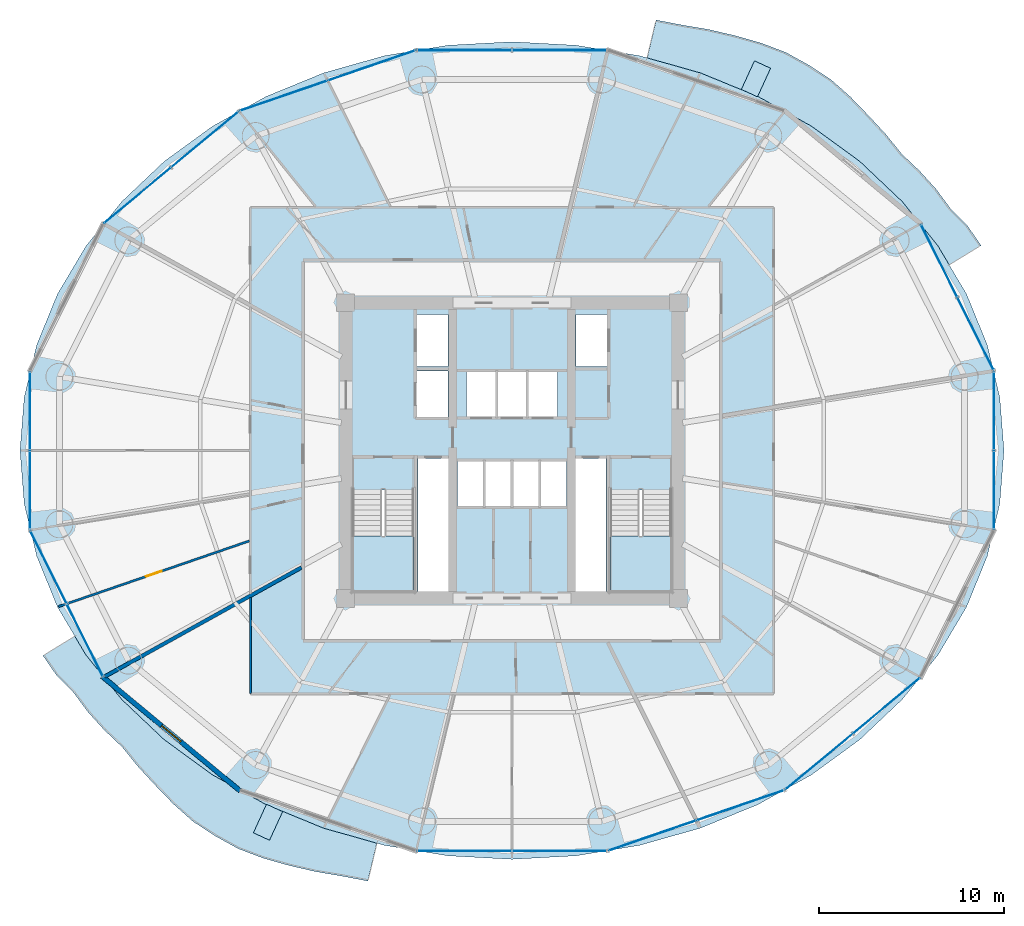
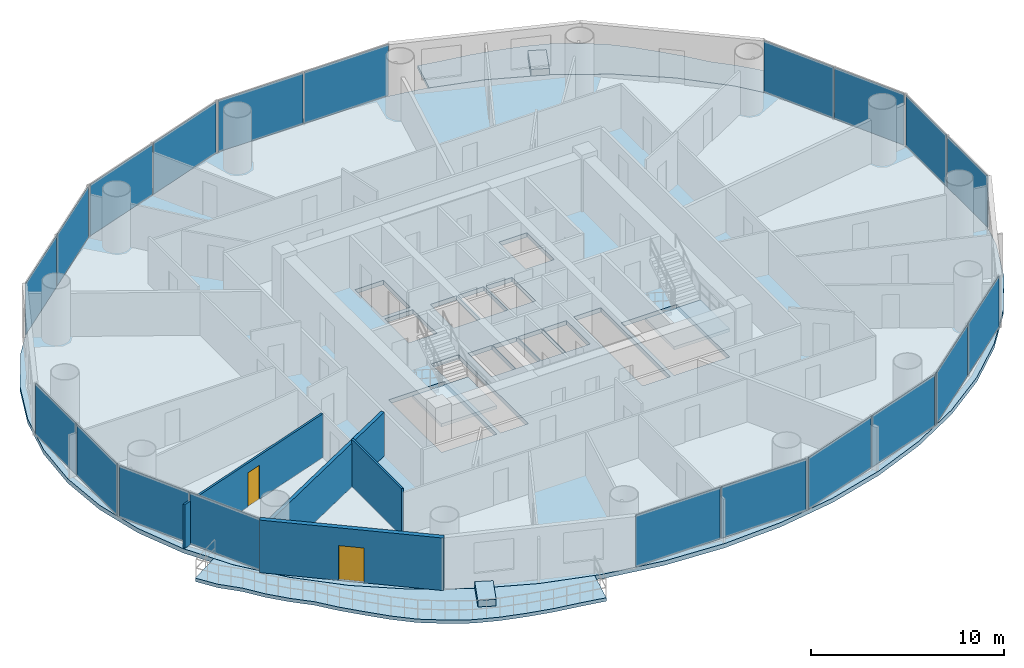
# One storey, part 20 of 28: 20 plates, 7 slabs, 4 walls, 2 doors, 2 openings, 12 elements without a shape of their own.
"""IFC4 building model written with IfcOpenShell, lengths in metres."""

from ifc_helpers import new_model, si_unit, direction, frame, frame_2d, origin, origin_2d, place, context, subcontext, project, spatial, polyline, rectangle, outline, extrude, source, transform, mapped, material, layer, layer_set, type_object, element, fill, aggregate, save


model = new_model("IFC4")

# Units and contexts
model_context = context("Model", 3, precision=1e-05, world=origin(), true_north=direction((-0.2419218956, 0.970295726276)))
body_context = subcontext(model_context, "Body", "Model", "MODEL_VIEW")
ifc_project = project(units=[si_unit("LENGTHUNIT", "METRE"), si_unit("AREAUNIT", "SQUARE_METRE"), si_unit("VOLUMEUNIT", "CUBIC_METRE"), si_unit("PLANEANGLEUNIT", "RADIAN"), si_unit("MASSUNIT", "GRAM", prefix="KILO")], contexts=[model_context])

# Site, building, storey
site_placement = place(None, origin())
site = spatial("IfcSite", under=ifc_project, at=site_placement, CompositionType="ELEMENT")
building_placement = place(site_placement, origin())
building = spatial("IfcBuilding", under=site, at=building_placement, Name="Cobrevalo Terracotta Tower", CompositionType="ELEMENT")
storey_placement = place(building_placement, frame((0.0, 0.0, 108.60009765625)))
storey = spatial("IfcBuildingStorey", under=building, at=storey_placement, Name="L28", CompositionType="ELEMENT", Elevation=108.60009765625)

# Stair, slab
ifc_material_1 = material(Name="Concrete C50", Category="concrete")
stair_type = type_object("IfcStairType", Name="Core protected escape dogleg stair 1600", PredefinedType="HALF_TURN_STAIR", material=ifc_material_1)
stair_1_placement = place(storey_placement, origin())
stair_1 = element("IfcStair", 1, at=stair_1_placement, inside=storey, type_object=stair_type, Name="L28 Protected exit stair ST-1", PredefinedType="HALF_TURN_STAIR")
ifc_layer_1 = layer(ifc_material_1, 0.199951171875)
ifc_layer_set_1 = layer_set([ifc_layer_1], Name="Concrete C50")
slab_type_1 = type_object("IfcSlabType", Name="Reinforced Concrete Stair Landing 200", PredefinedType="LANDING", material=ifc_layer_set_1)
slab_1_placement = place(storey_placement, frame((0.0, 0.0, 1.599853515625)))
slab_1 = element("IfcSlab", 2, at=slab_1_placement, type_object=slab_type_1, Name="ST-1 landing 1", PredefinedType="LANDING", context=body_context, shape_type="SweptSolid", body=[
    extrude(outline(polyline([(29.375, 22.179931640625), (29.375, 19.175048828125), (32.695068359375, 19.175048828125), (32.695068359375, 22.179931640625), (29.375, 22.179931640625)])), origin(), (0.0, 0.0, 1.0), 0.199951171875),
])
aggregate(stair_1, [slab_1])

stair_2_placement = place(storey_placement, origin())
stair_2 = element("IfcStair", 3, at=stair_2_placement, inside=storey, type_object=stair_type, Name="L28 Protected exit stair ST-2", PredefinedType="HALF_TURN_STAIR")
slab_2_placement = place(storey_placement, frame((0.0, 0.0, 1.599853515625)))
slab_2 = element("IfcSlab", 4, at=slab_2_placement, type_object=slab_type_1, Name="ST-2 landing 1", PredefinedType="LANDING", context=body_context, shape_type="SweptSolid", body=[
    extrude(outline(polyline([(43.304931640625, 22.179931640625), (43.304931640625, 19.175048828125), (46.625, 19.175048828125), (46.625, 22.179931640625), (43.304931640625, 22.179931640625)])), origin(), (0.0, 0.0, 1.0), 0.199951171875),
])
aggregate(stair_2, [slab_2])

# Slabs
ifc_material_2 = material(Name="Concrete C45", Category="concrete")
ifc_layer_2 = layer(ifc_material_2, 0.219970703125)
ifc_layer_set_2 = layer_set([ifc_layer_2], Name="Concrete C45")
slab_type_2 = type_object("IfcSlabType", Name="Spiralling cantilevered balcony lobe slab 220 mm", PredefinedType="FLOOR", material=ifc_layer_set_2)
slab_3_placement = place(storey_placement, frame((0.0, 0.0, -0.22021484375)))
element("IfcSlab", 5, at=slab_3_placement, inside=storey, type_object=slab_type_2, Name="L28 spiralling arc balcony slab lobe 1", PredefinedType="FLOOR", context=body_context, shape_type="SweptSolid", body=[
    extrude(outline(polyline([(63.3623046875, 37.882568359375), (62.629150390625, 38.94482421875), (61.700927734375, 39.887451171875), (60.923828125, 40.939697265625), (60.038330078125, 41.913818359375), (59.071044921875, 42.832275390625), (58.2197265625, 43.886474609375), (57.2783203125, 44.90380859375), (56.30078125, 45.917236328125), (55.240478515625, 46.857421875), (54.045166015625, 47.640625), (52.795166015625, 48.33056640625), (51.443115234375, 48.841064453125), (50.046875, 49.235107421875), (48.640380859375, 49.562744140625), (47.2060546875, 49.80615234375), (45.793212890625, 50.0771484375), (45.306884765625, 48.030029296875), (48.18017578125, 47.219482421875), (51.301025390625, 45.94091796875), (54.1943359375, 44.334716796875), (56.810546875, 42.428466796875), (59.104736328125, 40.2548828125), (61.0380859375, 37.85107421875), (61.645263671875, 36.827880859375), (63.3623046875, 37.882568359375)])), origin(), (0.0, 0.0, 1.0), 0.22021484375),
])
slab_4_placement = place(storey_placement, frame((0.0, 0.0, -0.22021484375)))
element("IfcSlab", 6, at=slab_4_placement, inside=storey, type_object=slab_type_2, Name="L28 spiralling arc balcony slab lobe 2", PredefinedType="FLOOR", context=body_context, shape_type="SweptSolid", body=[
    extrude(outline(polyline([(12.6376953125, 15.717529296875), (13.370849609375, 14.655029296875), (14.299072265625, 13.712646484375), (15.076171875, 12.660400390625), (15.961669921875, 11.686279296875), (16.928955078125, 10.767578125), (17.7802734375, 9.713623046875), (18.7216796875, 8.6962890625), (19.69921875, 7.6826171875), (20.759521484375, 6.742431640625), (21.954833984375, 5.95947265625), (23.204833984375, 5.26953125), (24.556884765625, 4.759033203125), (25.953125, 4.364990234375), (27.359619140625, 4.037353515625), (28.7939453125, 3.793701171875), (30.206787109375, 3.522705078125), (30.693115234375, 5.570068359375), (27.81982421875, 6.38037109375), (24.698974609375, 7.6591796875), (21.8056640625, 9.265380859375), (19.189453125, 11.171630859375), (16.895263671875, 13.34521484375), (14.9619140625, 15.7490234375), (14.354736328125, 16.772216796875), (12.6376953125, 15.717529296875)])), origin(), (0.0, 0.0, 1.0), 0.22021484375),
])
ifc_material_3 = material(Name="Precast concrete C45", Category="concrete")
ifc_layer_3 = layer(ifc_material_3, 0.419921875)
ifc_layer_set_3 = layer_set([ifc_layer_3], Name="Precast concrete C45")
slab_type_3 = type_object("IfcSlabType", Name="Structural tree planter trough base 420 mm", PredefinedType="USERDEFINED", material=ifc_layer_set_3)
slab_5_placement = place(storey_placement, origin())
element("IfcSlab", 7, at=slab_5_placement, inside=storey, type_object=slab_type_3, Name="L28 structural tree planter trough 1", ObjectType="PLANTER", PredefinedType="USERDEFINED", context=body_context, shape_type="SweptSolid", body=[
    extrude(outline(polyline([(51.27294921875, 45.92333984375), (51.9814453125, 47.46875), (51.108642578125, 47.86865234375), (50.400390625, 46.3232421875), (51.27294921875, 45.92333984375)])), origin(), (0.0, 0.0, 1.0), 0.419921875),
])
slab_6_placement = place(storey_placement, origin())
element("IfcSlab", 8, at=slab_6_placement, inside=storey, type_object=slab_type_3, Name="L28 structural tree planter trough 2", ObjectType="PLANTER", PredefinedType="USERDEFINED", context=body_context, shape_type="SweptSolid", body=[
    extrude(outline(polyline([(24.72705078125, 7.6767578125), (24.0185546875, 6.13134765625), (24.891357421875, 5.731201171875), (25.599609375, 7.276611328125), (24.72705078125, 7.6767578125)])), origin(), (0.0, 0.0, 1.0), 0.419921875),
])
ifc_layer_4 = layer(ifc_material_1, 0.27490234375)
ifc_layer_set_4 = layer_set([ifc_layer_4], Name="Concrete C50")
slab_type_4 = type_object("IfcSlabType", Name="Zone Z2 elliptical floor plate 275 mm", PredefinedType="FLOOR", material=ifc_layer_set_4)
slab_7_placement = place(storey_placement, frame((0.0, 0.0, -0.275146484375)))
element("IfcSlab", 9, at=slab_7_placement, inside=storey, type_object=slab_type_4, Name="L28 indoor elliptical floor slab", PredefinedType="FLOOR", context=body_context, shape_type="SweptSolid", body=[
    extrude(outline(polyline([(64.372314453125, 23.915283203125), (63.693603515625, 21.080078125), (62.5751953125, 18.3427734375), (61.036376953125, 15.75), (59.103271484375, 13.346435546875), (56.80908203125, 11.1728515625), (54.193115234375, 9.266845703125), (51.300048828125, 7.660888671875), (48.179443359375, 6.38232421875), (44.884521484375, 5.453125), (41.471923828125, 4.88916015625), (38.0, 4.699951171875), (34.528076171875, 4.88916015625), (31.115478515625, 5.453125), (27.820556640625, 6.38232421875), (24.699951171875, 7.660888671875), (21.806884765625, 9.266845703125), (19.19091796875, 11.1728515625), (16.896728515625, 13.346435546875), (14.963623046875, 15.75), (13.4248046875, 18.3427734375), (12.306396484375, 21.080078125), (11.627685546875, 23.915283203125), (11.39990234375, 26.800048828125), (11.627685546875, 29.6845703125), (12.306396484375, 32.52001953125), (13.4248046875, 35.25732421875), (14.963623046875, 37.85009765625), (16.896728515625, 40.253662109375), (19.19091796875, 42.427001953125), (21.806884765625, 44.3330078125), (24.699951171875, 45.939208984375), (27.820556640625, 47.2177734375), (31.115478515625, 48.14697265625), (34.528076171875, 48.7109375), (38.0, 48.89990234375), (41.471923828125, 48.7109375), (44.884521484375, 48.14697265625), (48.179443359375, 47.2177734375), (51.300048828125, 45.939208984375), (54.193115234375, 44.3330078125), (56.80908203125, 42.427001953125), (59.103271484375, 40.253662109375), (61.036376953125, 37.85009765625), (62.5751953125, 35.25732421875), (63.693603515625, 32.52001953125), (64.372314453125, 29.6845703125), (64.60009765625, 26.800048828125), (64.372314453125, 23.915283203125)]), holes=[polyline([(32.695068359375, 19.175048828125), (32.695068359375, 24.659912109375), (29.375, 24.659912109375), (29.375, 19.175048828125), (32.695068359375, 19.175048828125)]), polyline([(34.574951171875, 19.175048828125), (34.574951171875, 26.360107421875), (32.919921875, 26.360107421875), (32.919921875, 19.175048828125), (34.574951171875, 19.175048828125)]), polyline([(36.47998046875, 23.800048828125), (36.47998046875, 26.25), (35.050048828125, 26.25), (35.050048828125, 23.800048828125), (36.47998046875, 23.800048828125)]), polyline([(37.9599609375, 23.800048828125), (37.9599609375, 26.25), (36.530029296875, 26.25), (36.530029296875, 23.800048828125), (37.9599609375, 23.800048828125)]), polyline([(37.1201171875, 28.60009765625), (37.1201171875, 31.050048828125), (35.550048828125, 31.050048828125), (35.550048828125, 28.60009765625), (37.1201171875, 28.60009765625)]), polyline([(34.550048828125, 28.60009765625), (34.550048828125, 31.10009765625), (32.85009765625, 31.10009765625), (32.85009765625, 28.60009765625), (34.550048828125, 28.60009765625)]), polyline([(34.550048828125, 31.35009765625), (34.550048828125, 34.14990234375), (32.85009765625, 34.14990234375), (32.85009765625, 31.35009765625), (34.550048828125, 31.35009765625)]), polyline([(46.625, 19.175048828125), (46.625, 24.659912109375), (43.304931640625, 24.659912109375), (43.304931640625, 19.175048828125), (46.625, 19.175048828125)]), polyline([(43.080078125, 19.175048828125), (43.080078125, 26.360107421875), (41.425048828125, 26.360107421875), (41.425048828125, 19.175048828125), (43.080078125, 19.175048828125)]), polyline([(39.469970703125, 23.800048828125), (39.469970703125, 26.25), (38.0400390625, 26.25), (38.0400390625, 23.800048828125), (39.469970703125, 23.800048828125)]), polyline([(40.949951171875, 23.800048828125), (40.949951171875, 26.25), (39.52001953125, 26.25), (39.52001953125, 23.800048828125), (40.949951171875, 23.800048828125)]), polyline([(38.780029296875, 28.60009765625), (38.780029296875, 31.050048828125), (37.219970703125, 31.050048828125), (37.219970703125, 28.60009765625), (38.780029296875, 28.60009765625)]), polyline([(40.449951171875, 28.60009765625), (40.449951171875, 31.050048828125), (38.8798828125, 31.050048828125), (38.8798828125, 28.60009765625), (40.449951171875, 28.60009765625)]), polyline([(43.14990234375, 31.35009765625), (43.14990234375, 34.14990234375), (41.449951171875, 34.14990234375), (41.449951171875, 31.35009765625), (43.14990234375, 31.35009765625)])]), origin(), (0.0, 0.0, 1.0), 0.275146484375),
])

# Curtain wall, plates
ifc_material_4 = material(Name="Anodized aluminium", Category="aluminium")
curtain_wall_type = type_object("IfcCurtainWallType", Name="Lower-tower unitised acoustic low-E curtain wall CW-U1", PredefinedType="NOTDEFINED", material=ifc_material_4)
curtain_wall_1_placement = place(storey_placement, origin())
curtain_wall_1 = element("IfcCurtainWall", 10, at=curtain_wall_1_placement, inside=storey, type_object=curtain_wall_type, Name="L28 curtain wall CW-L28-S05", PredefinedType="NOTDEFINED")
ifc_material_5 = material(Name="Solar-control low-E double glazing", Category="glass")
ifc_layer_5 = layer(ifc_material_5, 0.028076171875)
ifc_layer_set_5 = layer_set([ifc_layer_5], Name="Solar-control low-E double glazing")
plate_type = type_object("IfcPlateType", Name="Tower solar-control low-E vision glass panel 28 mm", PredefinedType="CURTAIN_PANEL", material=ifc_layer_set_5)
shared_shape_1 = source(origin(), body_context, "Body", "SweptSolid", [
    extrude(rectangle(XDim=4.944580078125, YDim=0.035888671875, at=origin_2d()), origin(), (0.0, 0.0, 1.0), 3.2451171875),
])
plate_1_placement = place(storey_placement, frame((30.403076171875, 47.615478515625, 0.039794921875), z_axis=(0.0, 0.0, 1.0), x_axis=(-0.945596395206, -0.325342062104, 0.0)))
plate_1 = element("IfcPlate", 11, at=plate_1_placement, type_object=plate_type, Name="CW-L28-S05 glazing panel B01", PredefinedType="CURTAIN_PANEL", context=body_context, shape_type="MappedRepresentation", body=[
    mapped(shared_shape_1, transform((0.0, 0.0, 0.0), scale=1.0)),
])
plate_2_placement = place(storey_placement, frame((25.65185546875, 45.98095703125, 0.039794921875), z_axis=(0.0, 0.0, 1.0), x_axis=(-0.945596395206, -0.325342062104, 0.0)))
plate_2 = element("IfcPlate", 12, at=plate_2_placement, type_object=plate_type, Name="CW-L28-S05 glazing panel B02", PredefinedType="CURTAIN_PANEL", context=body_context, shape_type="MappedRepresentation", body=[
    mapped(shared_shape_1, transform((0.0, 0.0, 0.0), scale=1.0)),
])
aggregate(curtain_wall_1, [plate_1, plate_2])

curtain_wall_2_placement = place(storey_placement, origin())
curtain_wall_2 = element("IfcCurtainWall", 13, at=curtain_wall_2_placement, inside=storey, type_object=curtain_wall_type, Name="L28 curtain wall CW-L28-S13", PredefinedType="NOTDEFINED")
plate_3_placement = place(storey_placement, frame((45.596923828125, 5.984375, 0.039794921875), z_axis=(0.0, 0.0, 1.0), x_axis=(0.945596395206, 0.325342062104, 0.0)))
plate_3 = element("IfcPlate", 14, at=plate_3_placement, type_object=plate_type, Name="CW-L28-S13 glazing panel B01", PredefinedType="CURTAIN_PANEL", context=body_context, shape_type="MappedRepresentation", body=[
    mapped(shared_shape_1, transform((0.0, 0.0, 0.0), scale=1.0)),
])
plate_4_placement = place(storey_placement, frame((50.34814453125, 7.619140625, 0.039794921875), z_axis=(0.0, 0.0, 1.0), x_axis=(0.945596395206, 0.325342062104, 0.0)))
plate_4 = element("IfcPlate", 15, at=plate_4_placement, type_object=plate_type, Name="CW-L28-S13 glazing panel B02", PredefinedType="CURTAIN_PANEL", context=body_context, shape_type="MappedRepresentation", body=[
    mapped(shared_shape_1, transform((0.0, 0.0, 0.0), scale=1.0)),
])
aggregate(curtain_wall_2, [plate_3, plate_4])

curtain_wall_3_placement = place(storey_placement, origin())
curtain_wall_3 = element("IfcCurtainWall", 16, at=curtain_wall_3_placement, inside=storey, type_object=curtain_wall_type, Name="L28 curtain wall CW-L28-S04", PredefinedType="NOTDEFINED")
shared_shape_2 = source(origin(), body_context, "Body", "SweptSolid", [
    extrude(rectangle(XDim=5.0634765625, YDim=0.035888671875, at=origin_2d()), origin(), (0.0, 0.0, 1.0), 3.2451171875),
])
plate_5_placement = place(storey_placement, frame((40.57177734375, 48.446044921875, 0.039794921875), z_axis=(0.0, 0.0, 1.0), x_axis=(-1.0, 0.0, 0.0)))
plate_5 = element("IfcPlate", 17, at=plate_5_placement, type_object=plate_type, Name="CW-L28-S04 glazing panel B01", PredefinedType="CURTAIN_PANEL", context=body_context, shape_type="MappedRepresentation", body=[
    mapped(shared_shape_2, transform((0.0, 0.0, 0.0), scale=1.0)),
])
plate_6_placement = place(storey_placement, frame((35.42822265625, 48.446044921875, 0.039794921875), z_axis=(0.0, 0.0, 1.0), x_axis=(-1.0, 0.0, 0.0)))
plate_6 = element("IfcPlate", 18, at=plate_6_placement, type_object=plate_type, Name="CW-L28-S04 glazing panel B02", PredefinedType="CURTAIN_PANEL", context=body_context, shape_type="MappedRepresentation", body=[
    mapped(shared_shape_2, transform((0.0, 0.0, 0.0), scale=1.0)),
])
aggregate(curtain_wall_3, [plate_5, plate_6])

curtain_wall_4_placement = place(storey_placement, origin())
curtain_wall_4 = element("IfcCurtainWall", 19, at=curtain_wall_4_placement, inside=storey, type_object=curtain_wall_type, Name="L28 curtain wall CW-L28-S12", PredefinedType="NOTDEFINED")
plate_7_placement = place(storey_placement, frame((35.42822265625, 5.154052734375, 0.039794921875), z_axis=(0.0, 0.0, 1.0), x_axis=(1.0, 0.0, 0.0)))
plate_7 = element("IfcPlate", 20, at=plate_7_placement, type_object=plate_type, Name="CW-L28-S12 glazing panel B01", PredefinedType="CURTAIN_PANEL", context=body_context, shape_type="MappedRepresentation", body=[
    mapped(shared_shape_2, transform((0.0, 0.0, 0.0), scale=1.0)),
])
plate_8_placement = place(storey_placement, frame((40.57177734375, 5.154052734375, 0.039794921875), z_axis=(0.0, 0.0, 1.0), x_axis=(1.0, 0.0, 0.0)))
plate_8 = element("IfcPlate", 21, at=plate_8_placement, type_object=plate_type, Name="CW-L28-S12 glazing panel B02", PredefinedType="CURTAIN_PANEL", context=body_context, shape_type="MappedRepresentation", body=[
    mapped(shared_shape_2, transform((0.0, 0.0, 0.0), scale=1.0)),
])
aggregate(curtain_wall_4, [plate_7, plate_8])

curtain_wall_5_placement = place(storey_placement, origin())
curtain_wall_5 = element("IfcCurtainWall", 22, at=curtain_wall_5_placement, inside=storey, type_object=curtain_wall_type, Name="L28 curtain wall CW-L28-S06", PredefinedType="NOTDEFINED")
shared_shape_3 = source(origin(), body_context, "Body", "SweptSolid", [
    extrude(rectangle(XDim=4.64501953125, YDim=0.035888671875, at=origin_2d()), origin(), (0.0, 0.0, 1.0), 3.2451171875),
])
plate_9_placement = place(storey_placement, frame((21.390380859375, 43.615478515625, 0.039794921875), z_axis=(0.0, 0.0, 1.0), x_axis=(-0.769241221277, -0.638958483384, 0.0)))
plate_9 = element("IfcPlate", 23, at=plate_9_placement, type_object=plate_type, Name="CW-L28-S06 glazing panel B01", PredefinedType="CURTAIN_PANEL", context=body_context, shape_type="MappedRepresentation", body=[
    mapped(shared_shape_3, transform((0.0, 0.0, 0.0), scale=1.0)),
])
plate_10_placement = place(storey_placement, frame((17.755859375, 40.596435546875, 0.039794921875), z_axis=(0.0, 0.0, 1.0), x_axis=(-0.769241221277, -0.638958483384, 0.0)))
plate_10 = element("IfcPlate", 24, at=plate_10_placement, type_object=plate_type, Name="CW-L28-S06 glazing panel B02", PredefinedType="CURTAIN_PANEL", context=body_context, shape_type="MappedRepresentation", body=[
    mapped(shared_shape_3, transform((0.0, 0.0, 0.0), scale=1.0)),
])
aggregate(curtain_wall_5, [plate_9, plate_10])

curtain_wall_6_placement = place(storey_placement, origin())
curtain_wall_6 = element("IfcCurtainWall", 25, at=curtain_wall_6_placement, inside=storey, type_object=curtain_wall_type, Name="L28 curtain wall CW-L28-S14", PredefinedType="NOTDEFINED")
plate_11_placement = place(storey_placement, frame((54.609619140625, 9.984619140625, 0.039794921875), z_axis=(0.0, 0.0, 1.0), x_axis=(0.769241221277, 0.638958483384, 0.0)))
plate_11 = element("IfcPlate", 26, at=plate_11_placement, type_object=plate_type, Name="CW-L28-S14 glazing panel B01", PredefinedType="CURTAIN_PANEL", context=body_context, shape_type="MappedRepresentation", body=[
    mapped(shared_shape_3, transform((0.0, 0.0, 0.0), scale=1.0)),
])
plate_12_placement = place(storey_placement, frame((58.244140625, 13.00341796875, 0.039794921875), z_axis=(0.0, 0.0, 1.0), x_axis=(0.769241221277, 0.638958483384, 0.0)))
plate_12 = element("IfcPlate", 27, at=plate_12_placement, type_object=plate_type, Name="CW-L28-S14 glazing panel B02", PredefinedType="CURTAIN_PANEL", context=body_context, shape_type="MappedRepresentation", body=[
    mapped(shared_shape_3, transform((0.0, 0.0, 0.0), scale=1.0)),
])
aggregate(curtain_wall_6, [plate_11, plate_12])

curtain_wall_7_placement = place(storey_placement, origin())
curtain_wall_7 = element("IfcCurtainWall", 28, at=curtain_wall_7_placement, inside=storey, type_object=curtain_wall_type, Name="L28 curtain wall CW-L28-S01", PredefinedType="NOTDEFINED")
shared_shape_4 = source(origin(), body_context, "Body", "SweptSolid", [
    extrude(rectangle(XDim=4.3251953125, YDim=0.035888671875, at=origin_2d()), origin(), (0.0, 0.0, 1.0), 3.2451171875),
])
plate_13_placement = place(storey_placement, frame((63.05859375, 33.112548828125, 0.039794921875), z_axis=(0.0, 0.0, 1.0), x_axis=(-0.446261852127, 0.894902430065, 0.0)))
plate_13 = element("IfcPlate", 29, at=plate_13_placement, type_object=plate_type, Name="CW-L28-S01 glazing panel B01", PredefinedType="CURTAIN_PANEL", context=body_context, shape_type="MappedRepresentation", body=[
    mapped(shared_shape_4, transform((0.0, 0.0, 0.0), scale=1.0)),
])
plate_14_placement = place(storey_placement, frame((61.093017578125, 37.0546875, 0.039794921875), z_axis=(0.0, 0.0, 1.0), x_axis=(-0.446261852127, 0.894902430065, 0.0)))
plate_14 = element("IfcPlate", 30, at=plate_14_placement, type_object=plate_type, Name="CW-L28-S01 glazing panel B02", PredefinedType="CURTAIN_PANEL", context=body_context, shape_type="MappedRepresentation", body=[
    mapped(shared_shape_4, transform((0.0, 0.0, 0.0), scale=1.0)),
])
aggregate(curtain_wall_7, [plate_13, plate_14])

curtain_wall_8_placement = place(storey_placement, origin())
curtain_wall_8 = element("IfcCurtainWall", 31, at=curtain_wall_8_placement, inside=storey, type_object=curtain_wall_type, Name="L28 curtain wall CW-L28-S09", PredefinedType="NOTDEFINED")
plate_15_placement = place(storey_placement, frame((12.94140625, 20.487548828125, 0.039794921875), z_axis=(0.0, 0.0, 1.0), x_axis=(0.446261852127, -0.894902430065, 0.0)))
plate_15 = element("IfcPlate", 32, at=plate_15_placement, type_object=plate_type, Name="CW-L28-S09 glazing panel B01", PredefinedType="CURTAIN_PANEL", context=body_context, shape_type="MappedRepresentation", body=[
    mapped(shared_shape_4, transform((0.0, 0.0, 0.0), scale=1.0)),
])
plate_16_placement = place(storey_placement, frame((14.906982421875, 16.54541015625, 0.039794921875), z_axis=(0.0, 0.0, 1.0), x_axis=(0.446261852127, -0.894902430065, 0.0)))
plate_16 = element("IfcPlate", 33, at=plate_16_placement, type_object=plate_type, Name="CW-L28-S09 glazing panel B02", PredefinedType="CURTAIN_PANEL", context=body_context, shape_type="MappedRepresentation", body=[
    mapped(shared_shape_4, transform((0.0, 0.0, 0.0), scale=1.0)),
])
aggregate(curtain_wall_8, [plate_15, plate_16])

curtain_wall_9_placement = place(storey_placement, origin())
curtain_wall_9 = element("IfcCurtainWall", 34, at=curtain_wall_9_placement, inside=storey, type_object=curtain_wall_type, Name="L28 curtain wall CW-L28-S08", PredefinedType="NOTDEFINED")
shared_shape_5 = source(origin(), body_context, "Body", "SweptSolid", [
    extrude(rectangle(XDim=4.185546875, YDim=0.035888671875, at=origin_2d()), origin(), (0.0, 0.0, 1.0), 3.2451171875),
])
plate_17_placement = place(storey_placement, frame((11.9404296875, 28.932861328125, 0.039794921875), z_axis=(0.0, 0.0, 1.0), x_axis=(0.0, -1.0, 0.0)))
plate_17 = element("IfcPlate", 35, at=plate_17_placement, type_object=plate_type, Name="CW-L28-S08 glazing panel B01", PredefinedType="CURTAIN_PANEL", context=body_context, shape_type="MappedRepresentation", body=[
    mapped(shared_shape_5, transform((0.0, 0.0, 0.0), scale=1.0)),
])
plate_18_placement = place(storey_placement, frame((11.9404296875, 24.667236328125, 0.039794921875), z_axis=(0.0, 0.0, 1.0), x_axis=(0.0, -1.0, 0.0)))
plate_18 = element("IfcPlate", 36, at=plate_18_placement, type_object=plate_type, Name="CW-L28-S08 glazing panel B02", PredefinedType="CURTAIN_PANEL", context=body_context, shape_type="MappedRepresentation", body=[
    mapped(shared_shape_5, transform((0.0, 0.0, 0.0), scale=1.0)),
])
aggregate(curtain_wall_9, [plate_17, plate_18])

curtain_wall_10_placement = place(storey_placement, origin())
curtain_wall_10 = element("IfcCurtainWall", 37, at=curtain_wall_10_placement, inside=storey, type_object=curtain_wall_type, Name="L28 curtain wall CW-L28-S16", PredefinedType="NOTDEFINED")
plate_19_placement = place(storey_placement, frame((64.0595703125, 24.667236328125, 0.039794921875), z_axis=(0.0, 0.0, 1.0), x_axis=(0.0, 1.0, 0.0)))
plate_19 = element("IfcPlate", 38, at=plate_19_placement, type_object=plate_type, Name="CW-L28-S16 glazing panel B01", PredefinedType="CURTAIN_PANEL", context=body_context, shape_type="MappedRepresentation", body=[
    mapped(shared_shape_5, transform((0.0, 0.0, 0.0), scale=1.0)),
])
plate_20_placement = place(storey_placement, frame((64.0595703125, 28.932861328125, 0.039794921875), z_axis=(0.0, 0.0, 1.0), x_axis=(0.0, 1.0, 0.0)))
plate_20 = element("IfcPlate", 39, at=plate_20_placement, type_object=plate_type, Name="CW-L28-S16 glazing panel B02", PredefinedType="CURTAIN_PANEL", context=body_context, shape_type="MappedRepresentation", body=[
    mapped(shared_shape_5, transform((0.0, 0.0, 0.0), scale=1.0)),
])
aggregate(curtain_wall_10, [plate_19, plate_20])

# Wall
ifc_material_6 = material(Name="Autoclaved aerated concrete block", Category="concrete")
ifc_layer_6 = layer(ifc_material_6, 0.199951171875)
ifc_layer_set_6 = layer_set([ifc_layer_6], Name="Autoclaved aerated concrete block")
wall_type_1 = type_object("IfcWallType", Name="Fire-rated stair, shaft & demising masonry wall 200 mm", PredefinedType="PARTITIONING", material=ifc_layer_set_6)
wall_1_placement = place(storey_placement, frame((26.614990234375, 20.479736328125, 0.0), z_axis=(0.0, 0.0, 1.0), x_axis=(-0.874310671773, -0.48536671623, 0.0)))
element("IfcWall", 40, at=wall_1_placement, inside=storey, type_object=wall_type_1, Name="L28 interior partition IW-L28-DEM-4", PredefinedType="PARTITIONING", context=body_context, shape_type="SweptSolid", body=[
    extrude(rectangle(XDim=12.15869140625, YDim=0.199951171875, at=frame_2d((6.079345703125, 0.0))), origin(), (0.0, 0.0, 1.0), 2.766845703125),
])

# Wall, opening, door
ifc_layer_7 = layer(ifc_material_6, 0.260009765625)
ifc_layer_set_7 = layer_set([ifc_layer_7], Name="Autoclaved aerated concrete block")
wall_type_2 = type_object("IfcWallType", Name="Recessed balcony loggia insulated exterior wall 260 mm", PredefinedType="SOLIDWALL", material=ifc_layer_set_7)
wall_2_placement = place(storey_placement, frame((15.84619140625, 14.589599609375, 0.0), z_axis=(0.0, 0.0, 1.0), x_axis=(0.769254958887, -0.638941944333, 0.0)))
wall_2 = element("IfcWall", 41, at=wall_2_placement, inside=storey, type_object=wall_type_2, Name="L28 balcony loggia wall S10", PredefinedType="SOLIDWALL", context=body_context, shape_type="SweptSolid", body=[
    extrude(rectangle(XDim=9.689697265625, YDim=0.260009765625, at=frame_2d((4.8447265625, 0.0))), origin(), (0.0, 0.0, 1.0), 3.324951171875),
])
opening_1_placement = place(wall_2_placement, frame((4.169921875, 0.0, 0.0)))
opening_1 = element("IfcOpeningElement", 42, at=opening_1_placement, cuts=wall_2, Name="Opening ED-05", PredefinedType="OPENING", context=body_context, shape_type="SweptSolid", body=[
    extrude(rectangle(XDim=1.35009765625, YDim=2.199951171875, at=frame_2d((0.675048828125, 1.10009765625))), frame((0.0, 0.14013671875, 0.0), z_axis=(0.0, -1.0, 0.0), x_axis=(1.0, 0.0, 0.0)), (0.0, 0.0, 1.0), 0.280029296875),
])
ifc_material_7 = material(Name="Anodized aluminium and laminated glass", Category="aluminium")
door_type_1 = type_object("IfcDoorType", Name="Suite balcony acoustic glazed terrace door 1350x2200", OperationType="NOTDEFINED", PredefinedType="DOOR", material=ifc_material_7)
shared_shape_6 = source(origin(), body_context, "Body", "SweptSolid", [
    extrude(rectangle(XDim=1.35009765625, YDim=2.199951171875, at=frame_2d((0.675048828125, 1.10009765625))), frame((0.0, 0.02490234375, 0.0), z_axis=(0.0, -1.0, 0.0), x_axis=(1.0, 0.0, 0.0)), (0.0, 0.0, 1.0), 0.050048828125),
])
door_1_placement = place(opening_1_placement, frame((1.35009765625, 0.0, 0.0), z_axis=(0.0, 0.0, 1.0), x_axis=(-1.0, 0.0, 0.0)))
door_1 = element("IfcDoor", 43, at=door_1_placement, inside=storey, type_object=door_type_1, Name="L28 glazed balcony terrace door 2", OperationType="SINGLE_SWING_RIGHT", OverallHeight=2.199951171875, OverallWidth=1.35009765625, PredefinedType="DOOR", context=body_context, shape_type="MappedRepresentation", body=[
    mapped(shared_shape_6, transform((0.0, 0.0, 0.0), scale=1.0)),
])
fill(opening_1, door_1)

ifc_material_8 = material(Name="Gypsum board on steel stud", Category="steel")
ifc_layer_8 = layer(ifc_material_8, 0.1201171875)
ifc_layer_set_8 = layer_set([ifc_layer_8], Name="Gypsum board on steel stud")
wall_type_3 = type_object("IfcWallType", Name="Residential internal acoustic stud partition 120 mm", PredefinedType="PARTITIONING", material=ifc_layer_set_8)
wall_3_placement = place(storey_placement, frame((23.79638671875, 21.911865234375, 0.0), z_axis=(0.0, 0.0, 1.0), x_axis=(-0.945574063861, -0.325406960209, 0.0)))
wall_3 = element("IfcWall", 44, at=wall_3_placement, inside=storey, type_object=wall_type_3, Name="L28 interior partition IW-L28-U3-ORAD3M1", PredefinedType="PARTITIONING", context=body_context, shape_type="SweptSolid", body=[
    extrude(rectangle(XDim=10.90576171875, YDim=0.1201171875, at=frame_2d((5.452880859375, 0.0))), origin(), (0.0, 0.0, 1.0), 2.766845703125),
])
opening_2_placement = place(wall_3_placement, frame((5.0029296875, 0.0, 0.0)))
opening_2 = element("IfcOpeningElement", 45, at=opening_2_placement, cuts=wall_3, Name="Opening ID-12", PredefinedType="OPENING", context=body_context, shape_type="SweptSolid", body=[
    extrude(rectangle(XDim=0.89990234375, YDim=2.14990234375, at=frame_2d((0.449951171875, 1.074951171875))), frame((0.0, 0.070068359375, 0.0), z_axis=(0.0, -1.0, 0.0), x_axis=(1.0, 0.0, 0.0)), (0.0, 0.0, 1.0), 0.14013671875),
])
ifc_material_9 = material(Name="Engineered timber", Category="wood")
door_type_2 = type_object("IfcDoorType", Name="Internal residence & suite timber door 900x2150", OperationType="NOTDEFINED", PredefinedType="DOOR", material=ifc_material_9)
shared_shape_7 = source(origin(), body_context, "Body", "SweptSolid", [
    extrude(rectangle(XDim=0.89990234375, YDim=2.14990234375, at=frame_2d((0.449951171875, 1.074951171875))), frame((0.0, 0.02490234375, 0.0), z_axis=(0.0, -1.0, 0.0), x_axis=(1.0, 0.0, 0.0)), (0.0, 0.0, 1.0), 0.050048828125),
])
door_2_placement = place(opening_2_placement, frame((0.89990234375, 0.0, 0.0), z_axis=(0.0, 0.0, 1.0), x_axis=(-1.0, 0.0, 0.0)))
door_2 = element("IfcDoor", 46, at=door_2_placement, inside=storey, type_object=door_type_2, Name="Flat L28C Principal Guest Bedroom internal door", OperationType="SINGLE_SWING_LEFT", OverallHeight=2.14990234375, OverallWidth=0.89990234375, PredefinedType="DOOR", context=body_context, shape_type="MappedRepresentation", body=[
    mapped(shared_shape_7, transform((0.0, 0.0, 0.0), scale=1.0)),
])
fill(opening_2, door_2)

# Wall
wall_4_placement = place(storey_placement, frame((23.85498046875, 13.655029296875, 0.0), z_axis=(0.0, 0.0, 1.0), x_axis=(0.0, 1.0, 0.0)))
element("IfcWall", 47, at=wall_4_placement, inside=storey, type_object=wall_type_3, Name="L28 interior partition IW-L28-U4-RING1_0", PredefinedType="PARTITIONING", context=body_context, shape_type="SweptSolid", body=[
    extrude(rectangle(XDim=5.1904296875, YDim=0.1201171875, at=frame_2d((2.59521484375, 0.0))), origin(), (0.0, 0.0, 1.0), 3.00390625),
])

save(model, "model.ifc")
